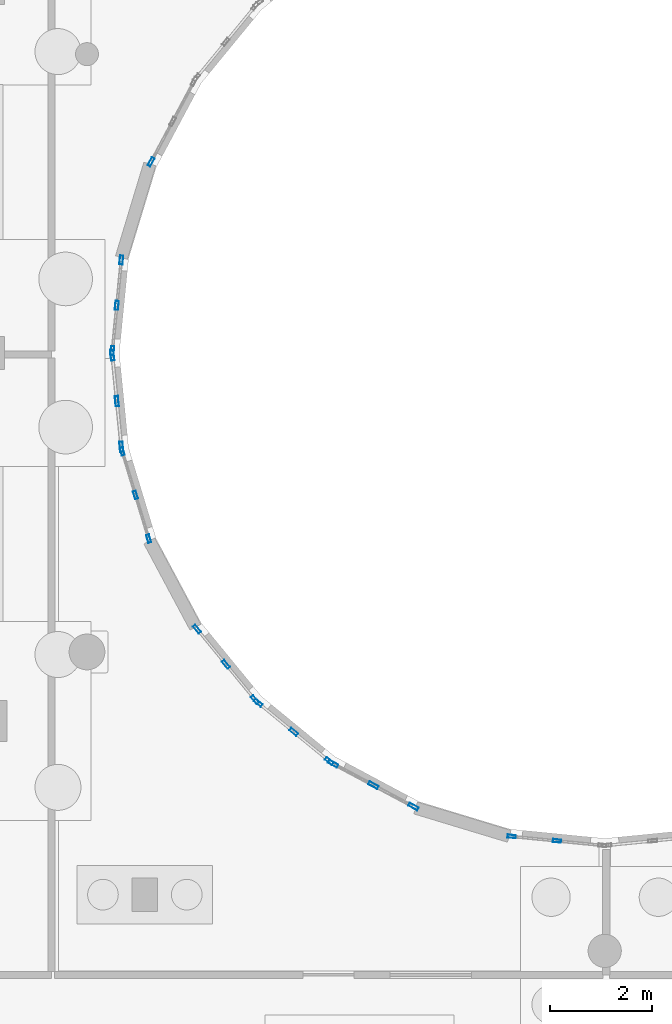
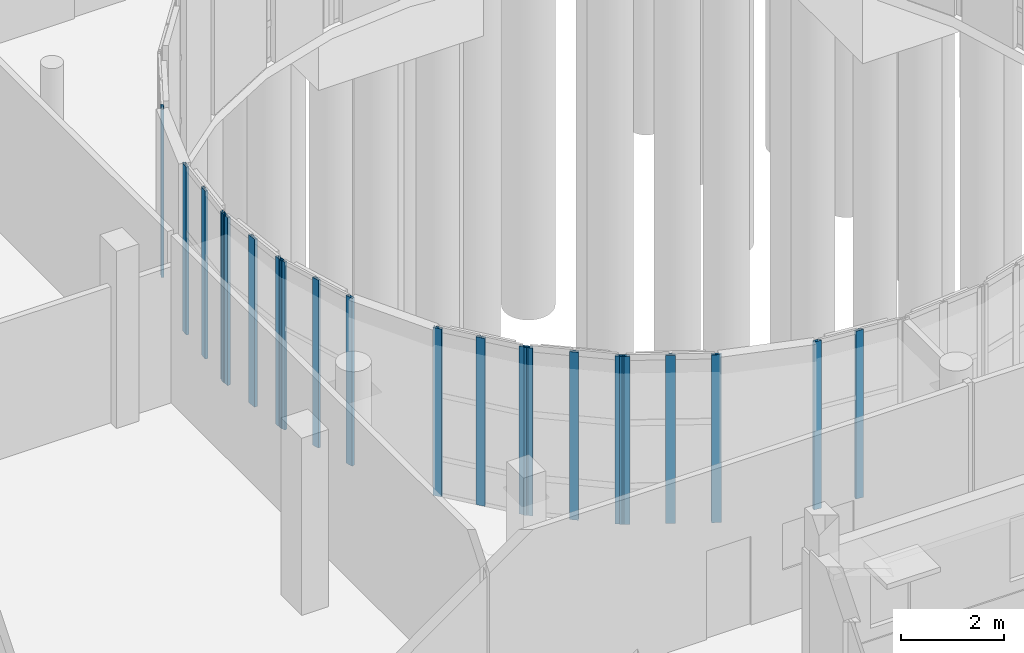
# One storey, part 32 of 93: 21 members, 8 elements without a shape of their own.
"""IFC4 building model written with IfcOpenShell, lengths in metres."""

from ifc_helpers import new_model, si_unit, direction, frame, origin, origin_2d, place, context, subcontext, project, spatial, hollow_rectangle, extrude, material, layer, layer_set, material_profile, profile_set, type_object, element, aggregate, save


model = new_model("IFC4")

# Units and contexts
model_context = context("Model", 3, precision=1e-05, world=origin(), true_north=direction((0.0, 1.0)))
body_context = subcontext(model_context, "Body", "Model", "MODEL_VIEW")
ifc_project = project(units=[si_unit("LENGTHUNIT", "METRE"), si_unit("AREAUNIT", "SQUARE_METRE"), si_unit("VOLUMEUNIT", "CUBIC_METRE"), si_unit("PLANEANGLEUNIT", "RADIAN"), si_unit("MASSUNIT", "GRAM", prefix="KILO")], contexts=[model_context])

# Site, building, storey
site_placement = place(None, origin())
site = spatial("IfcSite", under=ifc_project, at=site_placement, CompositionType="ELEMENT")
building_placement = place(site_placement, origin())
building = spatial("IfcBuilding", under=site, at=building_placement, Name="Kelanivale Promenade Academy", CompositionType="ELEMENT")
storey_placement = place(building_placement, origin())
storey = spatial("IfcBuildingStorey", under=building, at=storey_placement, Name="L00", CompositionType="ELEMENT", Elevation=0.0)

# Curtain wall, members
ifc_material_1 = material(Name="Bronze anodised aluminium and solar-control low-E glass", Category="aluminium")
ifc_layer_1 = layer(ifc_material_1, 0.169921875)
ifc_layer_set_1 = layer_set([ifc_layer_1], Name="Bronze anodised aluminium and solar-control low-E glass")
curtain_wall_type_1 = type_object("IfcCurtainWallType", Name="CW-13 Curtain Wall 1350mm Module", PredefinedType="USERDEFINED", material=ifc_layer_set_1)
curtain_wall_1_placement = place(storey_placement, origin())
curtain_wall_1 = element("IfcCurtainWall", 1, at=curtain_wall_1_placement, inside=storey, type_object=curtain_wall_type_1, Name="L00 courtyard curtain wall CW-13", ObjectType="COURTYARD SCREEN GLAZING", PredefinedType="USERDEFINED")
ifc_material_2 = material(Name="Bronze anodised aluminium EN AW-6063 T6", Category="aluminium")
ifc_material_profile_1 = material_profile(ifc_material_2, hollow_rectangle(XDim=0.06005859375, YDim=0.159912109375, WallThickness=0.00390625, at=origin_2d()), Name="ALU 60x160x4.0")
ifc_profile_set_1 = profile_set([ifc_material_profile_1], Name="Bronze anodised aluminium EN AW-6063 T6")
member_type_1 = type_object("IfcMemberType", Name="CWM-01 ALU 60x160x4.0", PredefinedType="MULLION", material=ifc_profile_set_1)
member_1_placement = place(storey_placement, frame((89.357666015625, 54.877197265625, 0.0), z_axis=(0.0, 0.0, 1.0), x_axis=(0.956987977524, 0.290127576893, 0.0)))
member_1 = element("IfcMember", 2, at=member_1_placement, type_object=member_type_1, Name="CW-13 mullion 1", PredefinedType="MULLION", context=body_context, shape_type="SweptSolid", body=[
    extrude(hollow_rectangle(XDim=0.06005859375, YDim=0.159912109375, WallThickness=0.00390625, at=origin_2d()), origin(), (0.0, 0.0, 1.0), 3.97998046875),
])
member_2_placement = place(storey_placement, frame((89.616943359375, 54.02197265625, 0.0), z_axis=(0.0, 0.0, 1.0), x_axis=(0.956987977524, 0.290127576893, 0.0)))
member_2 = element("IfcMember", 3, at=member_2_placement, type_object=member_type_1, Name="CW-13 mullion 2", PredefinedType="MULLION", context=body_context, shape_type="SweptSolid", body=[
    extrude(hollow_rectangle(XDim=0.06005859375, YDim=0.159912109375, WallThickness=0.00390625, at=origin_2d()), origin(), (0.0, 0.0, 1.0), 3.97998046875),
])
member_3_placement = place(storey_placement, frame((89.876220703125, 53.166748046875, 0.0), z_axis=(0.0, 0.0, 1.0), x_axis=(0.956987977524, 0.290127576893, 0.0)))
member_3 = element("IfcMember", 4, at=member_3_placement, type_object=member_type_1, Name="CW-13 mullion 3", PredefinedType="MULLION", context=body_context, shape_type="SweptSolid", body=[
    extrude(hollow_rectangle(XDim=0.06005859375, YDim=0.159912109375, WallThickness=0.00390625, at=origin_2d()), origin(), (0.0, 0.0, 1.0), 3.97998046875),
])
aggregate(curtain_wall_1, [member_1, member_2, member_3])

ifc_layer_2 = layer(ifc_material_1, 0.179931640625)
ifc_layer_set_2 = layer_set([ifc_layer_2], Name="Bronze anodised aluminium and solar-control low-E glass")
curtain_wall_type_2 = type_object("IfcCurtainWallType", Name="CW-17 Curtain Wall 1950mm Module", PredefinedType="USERDEFINED", material=ifc_layer_set_2)
curtain_wall_2_placement = place(storey_placement, origin())
curtain_wall_2 = element("IfcCurtainWall", 5, at=curtain_wall_2_placement, inside=storey, type_object=curtain_wall_type_2, Name="L00 courtyard curtain wall CW-17", ObjectType="COURTYARD SCREEN GLAZING", PredefinedType="USERDEFINED")
member_4_placement = place(storey_placement, frame((96.977783203125, 47.340087890625, 0.0), z_axis=(0.0, 0.0, 1.0), x_axis=(0.098538762159, 0.99513321337, 0.0)))
member_4 = element("IfcMember", 6, at=member_4_placement, type_object=member_type_1, Name="CW-17 mullion 1", PredefinedType="MULLION", context=body_context, shape_type="SweptSolid", body=[
    extrude(hollow_rectangle(XDim=0.06005859375, YDim=0.159912109375, WallThickness=0.00390625, at=origin_2d()), origin(), (0.0, 0.0, 1.0), 3.97998046875),
])
member_5_placement = place(storey_placement, frame((97.866943359375, 47.251953125, 0.0), z_axis=(0.0, 0.0, 1.0), x_axis=(0.098538762159, 0.99513321337, 0.0)))
member_5 = element("IfcMember", 7, at=member_5_placement, type_object=member_type_1, Name="CW-17 mullion 2", PredefinedType="MULLION", context=body_context, shape_type="SweptSolid", body=[
    extrude(hollow_rectangle(XDim=0.06005859375, YDim=0.159912109375, WallThickness=0.00390625, at=origin_2d()), origin(), (0.0, 0.0, 1.0), 3.97998046875),
])
aggregate(curtain_wall_2, [member_4, member_5])

# Curtain wall, member
ifc_layer_3 = layer(ifc_material_1, 0.169921875)
ifc_layer_set_3 = layer_set([ifc_layer_3], Name="Bronze anodised aluminium and solar-control low-E glass")
curtain_wall_type_3 = type_object("IfcCurtainWallType", Name="CW-10 Curtain Wall 1800mm Module", PredefinedType="USERDEFINED", material=ifc_layer_set_3)
curtain_wall_3_placement = place(storey_placement, origin())
curtain_wall_3 = element("IfcCurtainWall", 8, at=curtain_wall_3_placement, inside=storey, type_object=curtain_wall_type_3, Name="L00 courtyard curtain wall CW-10", ObjectType="UNITISED GLAZING", PredefinedType="USERDEFINED")
ifc_material_profile_2 = material_profile(ifc_material_2, hollow_rectangle(XDim=0.06005859375, YDim=0.179931640625, WallThickness=0.00390625, at=origin_2d()), Name="ALU 60x180x4.0")
ifc_profile_set_2 = profile_set([ifc_material_profile_2], Name="Bronze anodised aluminium EN AW-6063 T6")
member_type_2 = type_object("IfcMemberType", Name="CWM-02 ALU 60x180x4.0", PredefinedType="MULLION", material=ifc_profile_set_2)
member_6_placement = place(storey_placement, frame((89.921142578125, 60.54052734375, 0.0), z_axis=(0.0, 0.0, 1.0), x_axis=(0.881978204448, -0.471290193914, 0.0)))
member_6 = element("IfcMember", 9, at=member_6_placement, type_object=member_type_2, Name="CW-10 mullion 3", PredefinedType="MULLION", context=body_context, shape_type="SweptSolid", body=[
    extrude(hollow_rectangle(XDim=0.06005859375, YDim=0.179931640625, WallThickness=0.00390625, at=origin_2d()), origin(), (0.0, 0.0, 1.0), 3.97998046875),
])
aggregate(curtain_wall_3, [member_6])

# Curtain wall, members
ifc_layer_4 = layer(ifc_material_1, 0.179931640625)
ifc_layer_set_4 = layer_set([ifc_layer_4], Name="Bronze anodised aluminium and solar-control low-E glass")
curtain_wall_type_4 = type_object("IfcCurtainWallType", Name="CW-14 Curtain Wall 1500mm Module", PredefinedType="USERDEFINED", material=ifc_layer_set_4)
curtain_wall_4_placement = place(storey_placement, origin())
curtain_wall_4 = element("IfcCurtainWall", 10, at=curtain_wall_4_placement, inside=storey, type_object=curtain_wall_type_4, Name="L00 courtyard curtain wall CW-14", ObjectType="COURTYARD SCREEN GLAZING", PredefinedType="USERDEFINED")
member_7_placement = place(storey_placement, frame((90.822021484375, 51.397705078125, 0.0), z_axis=(0.0, 0.0, 1.0), x_axis=(0.773257170269, 0.634092539482, 0.0)))
member_7 = element("IfcMember", 11, at=member_7_placement, type_object=member_type_2, Name="CW-14 mullion 1", PredefinedType="MULLION", context=body_context, shape_type="SweptSolid", body=[
    extrude(hollow_rectangle(XDim=0.06005859375, YDim=0.179931640625, WallThickness=0.00390625, at=origin_2d()), origin(), (0.0, 0.0, 1.0), 3.97998046875),
])
member_8_placement = place(storey_placement, frame((91.388427734375, 50.70703125, 0.0), z_axis=(0.0, 0.0, 1.0), x_axis=(0.773257170269, 0.634092539482, 0.0)))
member_8 = element("IfcMember", 12, at=member_8_placement, type_object=member_type_2, Name="CW-14 mullion 2", PredefinedType="MULLION", context=body_context, shape_type="SweptSolid", body=[
    extrude(hollow_rectangle(XDim=0.06005859375, YDim=0.179931640625, WallThickness=0.00390625, at=origin_2d()), origin(), (0.0, 0.0, 1.0), 3.97998046875),
])
member_9_placement = place(storey_placement, frame((91.955078125, 50.01611328125, 0.0), z_axis=(0.0, 0.0, 1.0), x_axis=(0.773257170269, 0.634092539482, 0.0)))
member_9 = element("IfcMember", 13, at=member_9_placement, type_object=member_type_2, Name="CW-14 mullion 3", PredefinedType="MULLION", context=body_context, shape_type="SweptSolid", body=[
    extrude(hollow_rectangle(XDim=0.06005859375, YDim=0.179931640625, WallThickness=0.00390625, at=origin_2d()), origin(), (0.0, 0.0, 1.0), 3.97998046875),
])
aggregate(curtain_wall_4, [member_7, member_8, member_9])

ifc_layer_5 = layer(ifc_material_1, 0.179931640625)
ifc_layer_set_5 = layer_set([ifc_layer_5], Name="Bronze anodised aluminium and solar-control low-E glass")
curtain_wall_type_5 = type_object("IfcCurtainWallType", Name="CW-11 Curtain Wall 1950mm Module", PredefinedType="USERDEFINED", material=ifc_layer_set_5)
curtain_wall_5_placement = place(storey_placement, origin())
curtain_wall_5 = element("IfcCurtainWall", 14, at=curtain_wall_5_placement, inside=storey, type_object=curtain_wall_type_5, Name="L00 courtyard curtain wall CW-11", ObjectType="UNITISED GLAZING", PredefinedType="USERDEFINED")
ifc_material_profile_3 = material_profile(ifc_material_2, hollow_rectangle(XDim=0.06494140625, YDim=0.175048828125, WallThickness=0.00390625, at=origin_2d()), Name="ALU 65x175x4.0")
ifc_profile_set_3 = profile_set([ifc_material_profile_3], Name="Bronze anodised aluminium EN AW-6063 T6")
member_type_3 = type_object("IfcMemberType", Name="CWM-03 ALU 65x175x4.0", PredefinedType="MULLION", material=ifc_profile_set_3)
member_10_placement = place(storey_placement, frame((89.33984375, 58.61962890625, 0.0), z_axis=(0.0, 0.0, 1.0), x_axis=(0.99513321337, -0.098538762159, 0.0)))
member_10 = element("IfcMember", 15, at=member_10_placement, type_object=member_type_3, Name="CW-11 mullion 1", PredefinedType="MULLION", context=body_context, shape_type="SweptSolid", body=[
    extrude(hollow_rectangle(XDim=0.06494140625, YDim=0.175048828125, WallThickness=0.00390625, at=origin_2d()), origin(), (0.0, 0.0, 1.0), 3.97998046875),
])
member_11_placement = place(storey_placement, frame((89.251953125, 57.73291015625, 0.0), z_axis=(0.0, 0.0, 1.0), x_axis=(0.99513321337, -0.098538762159, 0.0)))
member_11 = element("IfcMember", 16, at=member_11_placement, type_object=member_type_3, Name="CW-11 mullion 2", PredefinedType="MULLION", context=body_context, shape_type="SweptSolid", body=[
    extrude(hollow_rectangle(XDim=0.06494140625, YDim=0.175048828125, WallThickness=0.00390625, at=origin_2d()), origin(), (0.0, 0.0, 1.0), 3.97998046875),
])
member_12_placement = place(storey_placement, frame((89.164306640625, 56.846435546875, 0.0), z_axis=(0.0, 0.0, 1.0), x_axis=(0.99513321337, -0.098538762159, 0.0)))
member_12 = element("IfcMember", 17, at=member_12_placement, type_object=member_type_3, Name="CW-11 mullion 3", PredefinedType="MULLION", context=body_context, shape_type="SweptSolid", body=[
    extrude(hollow_rectangle(XDim=0.06494140625, YDim=0.175048828125, WallThickness=0.00390625, at=origin_2d()), origin(), (0.0, 0.0, 1.0), 3.97998046875),
])
aggregate(curtain_wall_5, [member_10, member_11, member_12])

ifc_layer_6 = layer(ifc_material_1, 0.159912109375)
ifc_layer_set_6 = layer_set([ifc_layer_6], Name="Bronze anodised aluminium and solar-control low-E glass")
curtain_wall_type_6 = type_object("IfcCurtainWallType", Name="CW-15 Curtain Wall 1650mm Module", PredefinedType="USERDEFINED", material=ifc_layer_set_6)
curtain_wall_6_placement = place(storey_placement, origin())
curtain_wall_6 = element("IfcCurtainWall", 18, at=curtain_wall_6_placement, inside=storey, type_object=curtain_wall_type_6, Name="L00 courtyard curtain wall CW-15", ObjectType="COURTYARD SCREEN GLAZING", PredefinedType="USERDEFINED")
member_13_placement = place(storey_placement, frame((92.01806640625, 49.953369140625, 0.0), z_axis=(0.0, 0.0, 1.0), x_axis=(0.634143799719, 0.773215132597, 0.0)))
member_13 = element("IfcMember", 19, at=member_13_placement, type_object=member_type_3, Name="CW-15 mullion 1", PredefinedType="MULLION", context=body_context, shape_type="SweptSolid", body=[
    extrude(hollow_rectangle(XDim=0.06494140625, YDim=0.175048828125, WallThickness=0.00390625, at=origin_2d()), origin(), (0.0, 0.0, 1.0), 3.97998046875),
])
member_14_placement = place(storey_placement, frame((92.712890625, 49.383544921875, 0.0), z_axis=(0.0, 0.0, 1.0), x_axis=(0.634143799719, 0.773215132597, 0.0)))
member_14 = element("IfcMember", 20, at=member_14_placement, type_object=member_type_3, Name="CW-15 mullion 2", PredefinedType="MULLION", context=body_context, shape_type="SweptSolid", body=[
    extrude(hollow_rectangle(XDim=0.06494140625, YDim=0.175048828125, WallThickness=0.00390625, at=origin_2d()), origin(), (0.0, 0.0, 1.0), 3.97998046875),
])
member_15_placement = place(storey_placement, frame((93.407958984375, 48.813720703125, 0.0), z_axis=(0.0, 0.0, 1.0), x_axis=(0.634143799719, 0.773215132597, 0.0)))
member_15 = element("IfcMember", 21, at=member_15_placement, type_object=member_type_3, Name="CW-15 mullion 3", PredefinedType="MULLION", context=body_context, shape_type="SweptSolid", body=[
    extrude(hollow_rectangle(XDim=0.06494140625, YDim=0.175048828125, WallThickness=0.00390625, at=origin_2d()), origin(), (0.0, 0.0, 1.0), 3.97998046875),
])
aggregate(curtain_wall_6, [member_13, member_14, member_15])

ifc_layer_7 = layer(ifc_material_1, 0.159912109375)
ifc_layer_set_7 = layer_set([ifc_layer_7], Name="Bronze anodised aluminium and solar-control low-E glass")
curtain_wall_type_7 = type_object("IfcCurtainWallType", Name="CW-12 Curtain Wall 1200mm Module", PredefinedType="USERDEFINED", material=ifc_layer_set_7)
curtain_wall_7_placement = place(storey_placement, origin())
curtain_wall_7 = element("IfcCurtainWall", 22, at=curtain_wall_7_placement, inside=storey, type_object=curtain_wall_type_7, Name="L00 courtyard curtain wall CW-12", ObjectType="UNITISED GLAZING", PredefinedType="USERDEFINED")
ifc_material_profile_4 = material_profile(ifc_material_2, hollow_rectangle(XDim=0.06494140625, YDim=0.199951171875, WallThickness=0.00439453125, at=origin_2d()), Name="ALU 65x200x4.5")
ifc_profile_set_4 = profile_set([ifc_material_profile_4], Name="Bronze anodised aluminium EN AW-6063 T6")
member_type_4 = type_object("IfcMemberType", Name="CWM-04 ALU 65x200x4.5", PredefinedType="MULLION", material=ifc_profile_set_4)
member_16_placement = place(storey_placement, frame((89.164306640625, 56.753662109375, 0.0), z_axis=(0.0, 0.0, 1.0), x_axis=(0.995158737767, 0.098280652454, 0.0)))
member_16 = element("IfcMember", 23, at=member_16_placement, type_object=member_type_4, Name="CW-12 mullion 1", PredefinedType="MULLION", context=body_context, shape_type="SweptSolid", body=[
    extrude(hollow_rectangle(XDim=0.06494140625, YDim=0.199951171875, WallThickness=0.00439453125, at=origin_2d()), origin(), (0.0, 0.0, 1.0), 3.97998046875),
])
member_17_placement = place(storey_placement, frame((89.25244140625, 55.859619140625, 0.0), z_axis=(0.0, 0.0, 1.0), x_axis=(0.995158737767, 0.098280652454, 0.0)))
member_17 = element("IfcMember", 24, at=member_17_placement, type_object=member_type_4, Name="CW-12 mullion 2", PredefinedType="MULLION", context=body_context, shape_type="SweptSolid", body=[
    extrude(hollow_rectangle(XDim=0.06494140625, YDim=0.199951171875, WallThickness=0.00439453125, at=origin_2d()), origin(), (0.0, 0.0, 1.0), 3.97998046875),
])
member_18_placement = place(storey_placement, frame((89.3408203125, 54.96533203125, 0.0), z_axis=(0.0, 0.0, 1.0), x_axis=(0.995158737767, 0.098280652454, 0.0)))
member_18 = element("IfcMember", 25, at=member_18_placement, type_object=member_type_4, Name="CW-12 mullion 3", PredefinedType="MULLION", context=body_context, shape_type="SweptSolid", body=[
    extrude(hollow_rectangle(XDim=0.06494140625, YDim=0.199951171875, WallThickness=0.00439453125, at=origin_2d()), origin(), (0.0, 0.0, 1.0), 3.97998046875),
])
aggregate(curtain_wall_7, [member_16, member_17, member_18])

ifc_layer_8 = layer(ifc_material_1, 0.169921875)
ifc_layer_set_8 = layer_set([ifc_layer_8], Name="Bronze anodised aluminium and solar-control low-E glass")
curtain_wall_type_8 = type_object("IfcCurtainWallType", Name="CW-16 Curtain Wall 1800mm Module", PredefinedType="USERDEFINED", material=ifc_layer_set_8)
curtain_wall_8_placement = place(storey_placement, origin())
curtain_wall_8 = element("IfcCurtainWall", 26, at=curtain_wall_8_placement, inside=storey, type_object=curtain_wall_type_8, Name="L00 courtyard curtain wall CW-16", ObjectType="COURTYARD SCREEN GLAZING", PredefinedType="USERDEFINED")
member_19_placement = place(storey_placement, frame((93.484619140625, 48.7626953125, 0.0), z_axis=(0.0, 0.0, 1.0), x_axis=(0.471290193914, 0.881978204448, 0.0)))
member_19 = element("IfcMember", 27, at=member_19_placement, type_object=member_type_4, Name="CW-16 mullion 1", PredefinedType="MULLION", context=body_context, shape_type="SweptSolid", body=[
    extrude(hollow_rectangle(XDim=0.06494140625, YDim=0.199951171875, WallThickness=0.00439453125, at=origin_2d()), origin(), (0.0, 0.0, 1.0), 3.97998046875),
])
member_20_placement = place(storey_placement, frame((94.27099609375, 48.342529296875, 0.0), z_axis=(0.0, 0.0, 1.0), x_axis=(0.471290193914, 0.881978204448, 0.0)))
member_20 = element("IfcMember", 28, at=member_20_placement, type_object=member_type_4, Name="CW-16 mullion 2", PredefinedType="MULLION", context=body_context, shape_type="SweptSolid", body=[
    extrude(hollow_rectangle(XDim=0.06494140625, YDim=0.199951171875, WallThickness=0.00439453125, at=origin_2d()), origin(), (0.0, 0.0, 1.0), 3.97998046875),
])
member_21_placement = place(storey_placement, frame((95.057373046875, 47.92236328125, 0.0), z_axis=(0.0, 0.0, 1.0), x_axis=(0.471290193914, 0.881978204448, 0.0)))
member_21 = element("IfcMember", 29, at=member_21_placement, type_object=member_type_4, Name="CW-16 mullion 3", PredefinedType="MULLION", context=body_context, shape_type="SweptSolid", body=[
    extrude(hollow_rectangle(XDim=0.06494140625, YDim=0.199951171875, WallThickness=0.00439453125, at=origin_2d()), origin(), (0.0, 0.0, 1.0), 3.97998046875),
])
aggregate(curtain_wall_8, [member_19, member_20, member_21])

save(model, "model.ifc")
